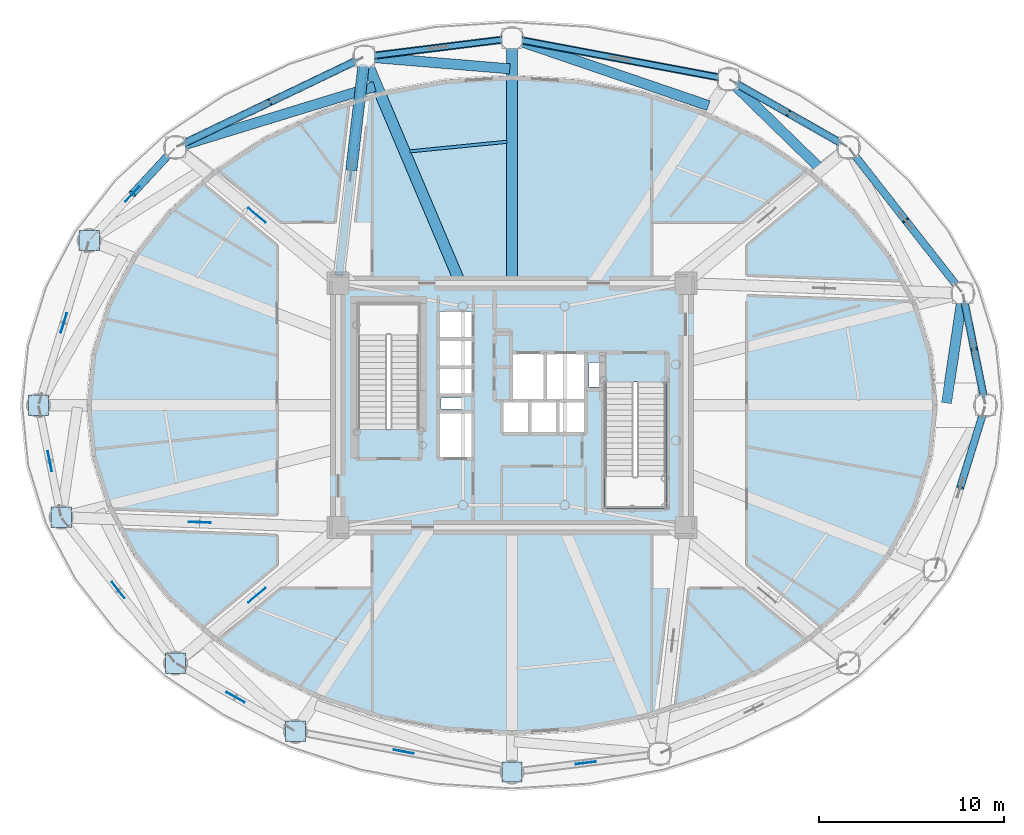
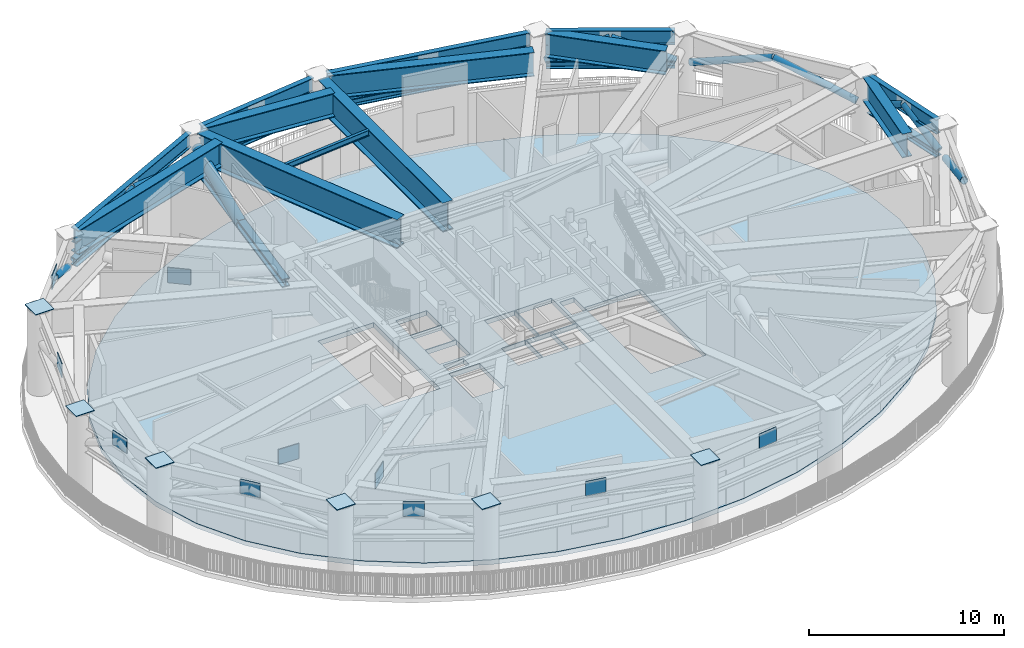
# One storey, part 5 of 20: 19 beams, 16 plates, 11 members, 1 slab.
"""IFC4 building model written with IfcOpenShell, lengths in metres."""

from ifc_helpers import new_model, si_unit, direction, frame, origin, origin_2d, place, context, subcontext, project, spatial, polyline, rectangle, hollow_circle, i_section, outline, extrude, source, transform, mapped, material, layer, layer_set, material_profile, profile_set, type_object, element, save


model = new_model("IFC4")

# Units and contexts
model_context = context("Model", 3, precision=1e-05, world=origin(), true_north=direction((0.0, 1.0)))
body_context = subcontext(model_context, "Body", "Model", "MODEL_VIEW")
ifc_project = project(units=[si_unit("LENGTHUNIT", "METRE"), si_unit("AREAUNIT", "SQUARE_METRE"), si_unit("VOLUMEUNIT", "CUBIC_METRE"), si_unit("PLANEANGLEUNIT", "RADIAN"), si_unit("MASSUNIT", "GRAM", prefix="KILO")], contexts=[model_context])

# Site, building, storey
site_placement = place(None, origin())
site = spatial("IfcSite", under=ifc_project, at=site_placement, CompositionType="ELEMENT")
building_placement = place(site_placement, origin())
building = spatial("IfcBuilding", under=site, at=building_placement, Name="Linh Dai School and Residence Tower", CompositionType="ELEMENT")
storey_placement = place(building_placement, frame((0.0, 0.0, 204.89990234375)))
storey = spatial("IfcBuildingStorey", under=building, at=storey_placement, Name="L50", CompositionType="ELEMENT", Elevation=204.89990234375)

# Beams
ifc_material_1 = material(Name="Structural Steel S355JR", Category="steel")
ifc_material_profile_1 = material_profile(ifc_material_1, i_section(OverallWidth=0.41796875, OverallDepth=0.506103515625, WebThickness=0.038818359375, FlangeThickness=0.05810546875, FilletRadius=0.014892578125, at=origin_2d()), Name="HD 400x551")
ifc_profile_set_1 = profile_set([ifc_material_profile_1], Name="Structural Steel S355JR")
beam_type_1 = type_object("IfcBeamType", Name="BM-BC1", PredefinedType="BEAM", material=ifc_profile_set_1)
beam_1_placement = place(storey_placement, frame((26.648681640625, 34.01708984375, 3.10009765625), z_axis=(0.115752064502, 0.993278138068, 0.0), x_axis=(-0.993278138068, 0.115752064502, 0.0)))
element("IfcBeam", 1, at=beam_1_placement, inside=storey, type_object=beam_type_1, Name="L50 Outrigger Truss OT2 Bottom Chord 03", PredefinedType="BEAM", context=body_context, shape_type="SweptSolid", body=[
    extrude(i_section(OverallWidth=0.41796875, OverallDepth=0.506103515625, WebThickness=0.038818359375, FlangeThickness=0.05810546875, FilletRadius=0.014892578125, at=origin_2d()), origin(), (0.0, 0.0, 1.0), 11.484375),
])
ifc_material_profile_2 = material_profile(ifc_material_1, i_section(OverallWidth=0.408935546875, OverallDepth=0.47509765625, WebThickness=0.02978515625, FlangeThickness=0.048095703125, FilletRadius=0.014892578125, at=origin_2d()), Name="HD 400x421")
ifc_profile_set_2 = profile_set([ifc_material_profile_2], Name="Structural Steel S355JR")
beam_type_2 = type_object("IfcBeamType", Name="BM-BC2", PredefinedType="BEAM", material=ifc_profile_set_2)
beam_2_placement = place(storey_placement, frame((61.5166015625, 27.41162109375, 3.050048828125), z_axis=(-0.198420723955, 0.980116940117, 0.0), x_axis=(-0.980116940117, -0.198420723955, 0.0)))
element("IfcBeam", 2, at=beam_2_placement, inside=storey, type_object=beam_type_2, Name="L50 Ring Belt Truss BT3 Bottom Chord 01", PredefinedType="BEAM", context=body_context, shape_type="SweptSolid", body=[
    extrude(i_section(OverallWidth=0.408935546875, OverallDepth=0.47509765625, WebThickness=0.02978515625, FlangeThickness=0.048095703125, FilletRadius=0.014892578125, at=origin_2d()), origin(), (0.0, 0.0, 1.0), 5.33642578125),
])
beam_3_placement = place(storey_placement, frame((53.827392578125, 41.1494140625, 3.050048828125), z_axis=(-0.869262164011, 0.49435138335, 0.0), x_axis=(-0.49435138335, -0.869262164011, 0.0)))
element("IfcBeam", 3, at=beam_3_placement, inside=storey, type_object=beam_type_2, Name="L50 Ring Belt Truss BT3 Bottom Chord 03", PredefinedType="BEAM", context=body_context, shape_type="SweptSolid", body=[
    extrude(i_section(OverallWidth=0.408935546875, OverallDepth=0.47509765625, WebThickness=0.02978515625, FlangeThickness=0.048095703125, FilletRadius=0.014892578125, at=origin_2d()), origin(), (0.0, 0.0, 1.0), 6.62255859375),
])
beam_4_placement = place(storey_placement, frame((47.292724609375, 44.70849609375, 3.050048828125), z_axis=(-0.98280721278, 0.184634727255, 0.0), x_axis=(-0.184634727255, -0.98280721278, 0.0)))
element("IfcBeam", 4, at=beam_4_placement, inside=storey, type_object=beam_type_2, Name="L50 Ring Belt Truss BT3 Bottom Chord 04", PredefinedType="BEAM", context=body_context, shape_type="SweptSolid", body=[
    extrude(i_section(OverallWidth=0.408935546875, OverallDepth=0.47509765625, WebThickness=0.02978515625, FlangeThickness=0.048095703125, FilletRadius=0.014892578125, at=origin_2d()), origin(), (0.0, 0.0, 1.0), 11.0703125),
])
beam_5_placement = place(storey_placement, frame((35.583251953125, 46.7783203125, 3.050048828125), z_axis=(-0.992400597975, -0.123048986741, 0.0), x_axis=(0.123048986741, -0.992400597975, 0.0)))
element("IfcBeam", 5, at=beam_5_placement, inside=storey, type_object=beam_type_2, Name="L50 Ring Belt Truss BT3 Bottom Chord 05", PredefinedType="BEAM", context=body_context, shape_type="SweptSolid", body=[
    extrude(i_section(OverallWidth=0.408935546875, OverallDepth=0.47509765625, WebThickness=0.02978515625, FlangeThickness=0.048095703125, FilletRadius=0.014892578125, at=origin_2d()), origin(), (0.0, 0.0, 1.0), 7.1943359375),
])
beam_6_placement = place(storey_placement, frame((27.64794921875, 45.659912109375, 3.050048828125), z_axis=(-0.901708141823, -0.432345263614, 0.0), x_axis=(0.432345263614, -0.901708141823, 0.0)))
element("IfcBeam", 6, at=beam_6_placement, inside=storey, type_object=beam_type_2, Name="L50 Ring Belt Truss BT3 Bottom Chord 06", PredefinedType="BEAM", context=body_context, shape_type="SweptSolid", body=[
    extrude(i_section(OverallWidth=0.408935546875, OverallDepth=0.47509765625, WebThickness=0.02978515625, FlangeThickness=0.048095703125, FilletRadius=0.014892578125, at=origin_2d()), origin(), (0.0, 0.0, 1.0), 10.4931640625),
])
ifc_material_profile_3 = material_profile(ifc_material_1, i_section(OverallWidth=0.300048828125, OverallDepth=0.89990234375, WebThickness=0.0185546875, FlangeThickness=0.034912109375, FilletRadius=0.030029296875, at=origin_2d()), Name="HEB 900")
ifc_profile_set_3 = profile_set([ifc_material_profile_3], Name="Structural Steel S355JR")
beam_type_3 = type_object("IfcBeamType", Name="BM-RG9", PredefinedType="BEAM", material=ifc_profile_set_3)
beam_7_placement = place(storey_placement, frame((61.5166015625, 27.41162109375, 4.7001953125), z_axis=(-0.198420723955, 0.980116940117, 0.0), x_axis=(-0.980116940117, -0.198420723955, 0.0)))
element("IfcBeam", 7, at=beam_7_placement, inside=storey, type_object=beam_type_3, Name="L50 Perimeter Elliptical Ring Beam 01", PredefinedType="BEAM", context=body_context, shape_type="SweptSolid", body=[
    extrude(i_section(OverallWidth=0.300048828125, OverallDepth=0.89990234375, WebThickness=0.0185546875, FlangeThickness=0.034912109375, FilletRadius=0.030029296875, at=origin_2d()), origin(), (0.0, 0.0, 1.0), 5.33642578125),
])
beam_8_placement = place(storey_placement, frame((53.827392578125, 41.1494140625, 4.7001953125), z_axis=(-0.869262164011, 0.49435138335, 0.0), x_axis=(-0.49435138335, -0.869262164011, 0.0)))
element("IfcBeam", 8, at=beam_8_placement, inside=storey, type_object=beam_type_3, Name="L50 Perimeter Elliptical Ring Beam 03", PredefinedType="BEAM", context=body_context, shape_type="SweptSolid", body=[
    extrude(i_section(OverallWidth=0.300048828125, OverallDepth=0.89990234375, WebThickness=0.0185546875, FlangeThickness=0.034912109375, FilletRadius=0.030029296875, at=origin_2d()), origin(), (0.0, 0.0, 1.0), 6.62255859375),
])
beam_9_placement = place(storey_placement, frame((47.292724609375, 44.70849609375, 4.7001953125), z_axis=(-0.98280721278, 0.184634727255, 0.0), x_axis=(-0.184634727255, -0.98280721278, 0.0)))
element("IfcBeam", 9, at=beam_9_placement, inside=storey, type_object=beam_type_3, Name="L50 Perimeter Elliptical Ring Beam 04", PredefinedType="BEAM", context=body_context, shape_type="SweptSolid", body=[
    extrude(i_section(OverallWidth=0.300048828125, OverallDepth=0.89990234375, WebThickness=0.0185546875, FlangeThickness=0.034912109375, FilletRadius=0.030029296875, at=origin_2d()), origin(), (0.0, 0.0, 1.0), 11.0703125),
])
beam_10_placement = place(storey_placement, frame((35.583251953125, 46.7783203125, 4.7001953125), z_axis=(-0.992400597975, -0.123048986741, 0.0), x_axis=(0.123048986741, -0.992400597975, 0.0)))
element("IfcBeam", 10, at=beam_10_placement, inside=storey, type_object=beam_type_3, Name="L50 Perimeter Elliptical Ring Beam 05", PredefinedType="BEAM", context=body_context, shape_type="SweptSolid", body=[
    extrude(i_section(OverallWidth=0.300048828125, OverallDepth=0.89990234375, WebThickness=0.0185546875, FlangeThickness=0.034912109375, FilletRadius=0.030029296875, at=origin_2d()), origin(), (0.0, 0.0, 1.0), 7.1943359375),
])
beam_11_placement = place(storey_placement, frame((27.64794921875, 45.659912109375, 4.7001953125), z_axis=(-0.901708141823, -0.432345263614, 0.0), x_axis=(0.432345263614, -0.901708141823, 0.0)))
element("IfcBeam", 11, at=beam_11_placement, inside=storey, type_object=beam_type_3, Name="L50 Perimeter Elliptical Ring Beam 06", PredefinedType="BEAM", context=body_context, shape_type="SweptSolid", body=[
    extrude(i_section(OverallWidth=0.300048828125, OverallDepth=0.89990234375, WebThickness=0.0185546875, FlangeThickness=0.034912109375, FilletRadius=0.030029296875, at=origin_2d()), origin(), (0.0, 0.0, 1.0), 10.4931640625),
])
ifc_material_profile_4 = material_profile(ifc_material_1, i_section(OverallWidth=0.169921875, OverallDepth=0.360107421875, WebThickness=0.008056640625, FlangeThickness=0.0126953125, FilletRadius=0.01806640625, at=origin_2d()), Name="IPE 360")
ifc_profile_set_4 = profile_set([ifc_material_profile_4], Name="Structural Steel S355JR")
beam_type_4 = type_object("IfcBeamType", Name="BM-SB36", PredefinedType="BEAM", material=ifc_profile_set_4)
beam_12_placement = place(storey_placement, frame((35.721435546875, 41.245849609375, 4.97021484375), z_axis=(-0.995144026616, -0.098429499092, 0.0), x_axis=(0.098429499092, -0.995144026616, 0.0)))
element("IfcBeam", 12, at=beam_12_placement, inside=storey, type_object=beam_type_4, Name="L50 Secondary Circumferential Floor Beam 03", PredefinedType="BEAM", context=body_context, shape_type="SweptSolid", body=[
    extrude(i_section(OverallWidth=0.169921875, OverallDepth=0.360107421875, WebThickness=0.008056640625, FlangeThickness=0.0126953125, FilletRadius=0.01806640625, at=origin_2d()), origin(), (0.0, 0.0, 1.0), 5.265869140625),
])
ifc_material_profile_5 = material_profile(ifc_material_1, i_section(OverallWidth=0.550048828125, OverallDepth=1.5, WebThickness=0.028076171875, FlangeThickness=0.050048828125, at=origin_2d()), Name="PG 1500x550x28x50")
ifc_profile_set_5 = profile_set([ifc_material_profile_5], Name="Structural Steel S355JR")
beam_type_5 = type_object("IfcBeamType", Name="BM-TG15", PredefinedType="BEAM", material=ifc_profile_set_5)
beam_13_placement = place(storey_placement, frame((59.49267578125, 27.11865234375, 4.400146484375), z_axis=(0.146962499756, 0.98914206445, 0.0), x_axis=(-0.98914206445, 0.146962499756, 0.0)))
element("IfcBeam", 13, at=beam_13_placement, inside=storey, type_object=beam_type_5, Name="L50 Setback Diaphragm Transfer Girder 01", PredefinedType="BEAM", context=body_context, shape_type="SweptSolid", body=[
    extrude(i_section(OverallWidth=0.550048828125, OverallDepth=1.5, WebThickness=0.028076171875, FlangeThickness=0.050048828125, at=origin_2d()), origin(), (0.0, 0.0, 1.0), 5.580078125),
])
beam_14_placement = place(storey_placement, frame((52.59716796875, 39.86474609375, 4.400146484375), z_axis=(-0.716245697549, 0.697848193193, 0.0), x_axis=(-0.697848193193, -0.716245697549, 0.0)))
element("IfcBeam", 14, at=beam_14_placement, inside=storey, type_object=beam_type_5, Name="L50 Setback Diaphragm Transfer Girder 03", PredefinedType="BEAM", context=body_context, shape_type="SweptSolid", body=[
    extrude(i_section(OverallWidth=0.550048828125, OverallDepth=1.5, WebThickness=0.028076171875, FlangeThickness=0.050048828125, at=origin_2d()), origin(), (0.0, 0.0, 1.0), 6.40966796875),
])
beam_15_placement = place(storey_placement, frame((46.62109375, 43.202392578125, 4.400146484375), z_axis=(-0.946323052794, 0.323222337953, 0.0), x_axis=(-0.323222337953, -0.946323052794, 0.0)))
element("IfcBeam", 15, at=beam_15_placement, inside=storey, type_object=beam_type_5, Name="L50 Setback Diaphragm Transfer Girder 04", PredefinedType="BEAM", context=body_context, shape_type="SweptSolid", body=[
    extrude(i_section(OverallWidth=0.550048828125, OverallDepth=1.5, WebThickness=0.028076171875, FlangeThickness=0.050048828125, at=origin_2d()), origin(), (0.0, 0.0, 1.0), 10.803466796875),
])
beam_16_placement = place(storey_placement, frame((35.88037109375, 45.18994140625, 4.400146484375), z_axis=(-0.996577731029, 0.08266090985, 0.0), x_axis=(-0.08266090985, -0.996577731029, 0.0)))
element("IfcBeam", 16, at=beam_16_placement, inside=storey, type_object=beam_type_5, Name="L50 Setback Diaphragm Transfer Girder 05", PredefinedType="BEAM", context=body_context, shape_type="SweptSolid", body=[
    extrude(i_section(OverallWidth=0.550048828125, OverallDepth=1.5, WebThickness=0.028076171875, FlangeThickness=0.050048828125, at=origin_2d()), origin(), (0.0, 0.0, 1.0), 7.460693359375),
])
beam_17_placement = place(storey_placement, frame((28.5732421875, 44.23828125, 4.400146484375), z_axis=(-0.956177952273, -0.292786139678, 0.0), x_axis=(0.292786139678, -0.956177952273, 0.0)))
element("IfcBeam", 17, at=beam_17_placement, inside=storey, type_object=beam_type_5, Name="L50 Setback Diaphragm Transfer Girder 06", PredefinedType="BEAM", context=body_context, shape_type="SweptSolid", body=[
    extrude(i_section(OverallWidth=0.550048828125, OverallDepth=1.5, WebThickness=0.028076171875, FlangeThickness=0.050048828125, at=origin_2d()), origin(), (0.0, 0.0, 1.0), 10.83935546875),
])
ifc_material_profile_6 = material_profile(ifc_material_1, i_section(OverallWidth=0.60009765625, OverallDepth=1.800048828125, WebThickness=0.030029296875, FlangeThickness=0.054931640625, at=origin_2d()), Name="PG 1800x600x30x55")
ifc_profile_set_6 = profile_set([ifc_material_profile_6], Name="Structural Steel S355JR")
beam_type_6 = type_object("IfcBeamType", Name="BM-TG18", PredefinedType="BEAM", material=ifc_profile_set_6)
beam_18_placement = place(storey_placement, frame((36.0, 33.60009765625, 4.25), z_axis=(0.0, 1.0, 0.0), x_axis=(-1.0, 0.0, 0.0)))
element("IfcBeam", 18, at=beam_18_placement, inside=storey, type_object=beam_type_6, Name="L50 Radial Setback Transfer Girder 05", PredefinedType="BEAM", context=body_context, shape_type="SweptSolid", body=[
    extrude(i_section(OverallWidth=0.60009765625, OverallDepth=1.800048828125, WebThickness=0.030029296875, FlangeThickness=0.054931640625, at=origin_2d()), origin(), (0.0, 0.0, 1.0), 12.809814453125),
])
beam_19_placement = place(storey_placement, frame((33.20703125, 33.60009765625, 4.25), z_axis=(-0.389721661447, 0.920932693849, 0.0), x_axis=(-0.920932693849, -0.389721661447, 0.0)))
element("IfcBeam", 19, at=beam_19_placement, inside=storey, type_object=beam_type_6, Name="L50 Radial Setback Transfer Girder 06", PredefinedType="BEAM", context=body_context, shape_type="SweptSolid", body=[
    extrude(i_section(OverallWidth=0.60009765625, OverallDepth=1.800048828125, WebThickness=0.030029296875, FlangeThickness=0.054931640625, at=origin_2d()), origin(), (0.0, 0.0, 1.0), 12.872314453125),
])

# Members
ifc_material_profile_7 = material_profile(ifc_material_1, hollow_circle(Radius=0.203125, WallThickness=0.01611328125, at=origin_2d()), Name="CHS 406.4x16")
ifc_profile_set_7 = profile_set([ifc_material_profile_7], Name="Structural Steel S355JR")
member_type_1 = type_object("IfcMemberType", Name="MBR-BT3", PredefinedType="BRACE", material=ifc_profile_set_7)
member_1_placement = place(storey_placement, frame((61.526611328125, 27.363037109375, 3.248046875), z_axis=(-0.175015497183, 0.864460882645, 0.471250419758), x_axis=(-0.980114982991, -0.198430391112, 0.0)))
element("IfcMember", 20, at=member_1_placement, inside=storey, type_object=member_type_1, Name="L50 Ring Belt Truss BT3 Diagonal 01A", PredefinedType="BRACE", context=body_context, shape_type="SweptSolid", body=[
    extrude(hollow_circle(Radius=0.203125, WallThickness=0.01611328125, at=origin_2d()), origin(), (0.0, 0.0, 1.0), 3.08154296875),
])
member_2_placement = place(storey_placement, frame((60.447998046875, 32.6904296875, 3.248046875), z_axis=(0.175027484648, -0.864440858991, 0.471282697459), x_axis=(0.980111445574, 0.198447862811, 0.0)))
element("IfcMember", 21, at=member_2_placement, inside=storey, type_object=member_type_1, Name="L50 Ring Belt Truss BT3 Diagonal 01B", PredefinedType="BRACE", context=body_context, shape_type="SweptSolid", body=[
    extrude(hollow_circle(Radius=0.203125, WallThickness=0.01611328125, at=origin_2d()), origin(), (0.0, 0.0, 1.0), 3.081298828125),
])
member_3_placement = place(storey_placement, frame((60.12841796875, 33.36767578125, 3.181396484375), z_axis=(-0.585917786619, 0.747569351364, 0.312794520772), x_axis=(-0.787063556187, -0.616871914195, 0.0)))
element("IfcMember", 22, at=member_3_placement, inside=storey, type_object=member_type_1, Name="L50 Ring Belt Truss BT3 Diagonal 02A", PredefinedType="BRACE", context=body_context, shape_type="SweptSolid", body=[
    extrude(hollow_circle(Radius=0.203125, WallThickness=0.01611328125, at=origin_2d()), origin(), (0.0, 0.0, 1.0), 4.85546875),
])
member_4_placement = place(storey_placement, frame((54.4384765625, 40.627685546875, 3.181396484375), z_axis=(0.585895763581, -0.747591530823, 0.312782763686), x_axis=(0.787083698999, 0.616846213225, 0.0)))
element("IfcMember", 23, at=member_4_placement, inside=storey, type_object=member_type_1, Name="L50 Ring Belt Truss BT3 Diagonal 02B", PredefinedType="BRACE", context=body_context, shape_type="SweptSolid", body=[
    extrude(hollow_circle(Radius=0.203125, WallThickness=0.01611328125, at=origin_2d()), origin(), (0.0, 0.0, 1.0), 4.855712890625),
])
member_5_placement = place(storey_placement, frame((53.858642578125, 41.131591796875, 3.219970703125), z_axis=(-0.794992835956, 0.452127994807, 0.404433761067), x_axis=(-0.494362742257, -0.869255704075, 0.0)))
element("IfcMember", 24, at=member_5_placement, inside=storey, type_object=member_type_1, Name="L50 Ring Belt Truss BT3 Diagonal 03A", PredefinedType="BRACE", context=body_context, shape_type="SweptSolid", body=[
    extrude(hollow_circle(Radius=0.203125, WallThickness=0.01611328125, at=origin_2d()), origin(), (0.0, 0.0, 1.0), 3.659912109375),
])
member_6_placement = place(storey_placement, frame((48.03955078125, 44.44091796875, 3.219970703125), z_axis=(0.794992264934, -0.452098899006, 0.404467408097), x_axis=(0.49433897136, 0.86926922262, 0.0)))
element("IfcMember", 25, at=member_6_placement, inside=storey, type_object=member_type_1, Name="L50 Ring Belt Truss BT3 Diagonal 03B", PredefinedType="BRACE", context=body_context, shape_type="SweptSolid", body=[
    extrude(hollow_circle(Radius=0.203125, WallThickness=0.01611328125, at=origin_2d()), origin(), (0.0, 0.0, 1.0), 3.65966796875),
])
member_7_placement = place(storey_placement, frame((27.6630859375, 45.6669921875, 3.16748046875), z_axis=(-0.865752709797, -0.415083865184, 0.279602629359), x_axis=(0.432326872056, -0.90171695986, 0.0)))
element("IfcMember", 26, at=member_7_placement, inside=storey, type_object=member_type_1, Name="L50 Ring Belt Truss BT3 Diagonal 06A", PredefinedType="BRACE", context=body_context, shape_type="SweptSolid", body=[
    extrude(hollow_circle(Radius=0.203125, WallThickness=0.01611328125, at=origin_2d()), origin(), (0.0, 0.0, 1.0), 5.481689453125),
])
member_8_placement = place(storey_placement, frame((18.171142578125, 41.115966796875, 3.16748046875), z_axis=(0.865747860243, 0.415104722496, 0.279586680381), x_axis=(-0.432346504362, 0.901707546916, 0.0)))
element("IfcMember", 27, at=member_8_placement, inside=storey, type_object=member_type_1, Name="L50 Ring Belt Truss BT3 Diagonal 06B", PredefinedType="BRACE", context=body_context, shape_type="SweptSolid", body=[
    extrude(hollow_circle(Radius=0.203125, WallThickness=0.01611328125, at=origin_2d()), origin(), (0.0, 0.0, 1.0), 5.482177734375),
])
member_9_placement = place(storey_placement, frame((17.550048828125, 40.664306640625, 3.232177734375), z_axis=(-0.613211987, -0.660481912202, 0.433283628417), x_axis=(0.732844746776, -0.680395897345, 0.0)))
element("IfcMember", 28, at=member_9_placement, inside=storey, type_object=member_type_1, Name="L50 Ring Belt Truss BT3 Diagonal 07A", PredefinedType="BRACE", context=body_context, shape_type="SweptSolid", body=[
    extrude(hollow_circle(Radius=0.203125, WallThickness=0.01611328125, at=origin_2d()), origin(), (0.0, 0.0, 1.0), 3.38818359375),
])
member_10_placement = place(storey_placement, frame((61.483642578125, 26.62158203125, 3.190185546875), z_axis=(-0.276807957672, -0.901109725754, 0.333734350526), x_axis=(0.955915045693, -0.293643364336, 0.0)))
element("IfcMember", 29, at=member_10_placement, inside=storey, type_object=member_type_1, Name="L50 Ring Belt Truss BT3 Diagonal 16B", PredefinedType="BRACE", context=body_context, shape_type="SweptSolid", body=[
    extrude(hollow_circle(Radius=0.203125, WallThickness=0.01611328125, at=origin_2d()), origin(), (0.0, 0.0, 1.0), 4.524658203125),
])
ifc_material_profile_8 = material_profile(ifc_material_1, hollow_circle(Radius=0.304931640625, WallThickness=0.02490234375, at=origin_2d()), Name="CHS 610x25")
ifc_profile_set_8 = profile_set([ifc_material_profile_8], Name="Structural Steel S355JR")
member_type_2 = type_object("IfcMemberType", Name="MBR-OT2", PredefinedType="BRACE", material=ifc_profile_set_8)
member_11_placement = place(storey_placement, frame((27.97900390625, 45.431396484375, 4.173095703125), z_axis=(-0.113792343917, -0.976418458021, -0.183461977812), x_axis=(0.993277549872, -0.11575711175, 0.0)))
element("IfcMember", 30, at=member_11_placement, inside=storey, type_object=member_type_2, Name="L50 Outrigger Truss OT2 Web Diagonal 03B", PredefinedType="BRACE", context=body_context, shape_type="SweptSolid", body=[
    extrude(hollow_circle(Radius=0.304931640625, WallThickness=0.02490234375, at=origin_2d()), origin(), (0.0, 0.0, 1.0), 5.8486328125),
])

# Slab
ifc_material_2 = material(Name="Concrete B45 (C35/45)", Category="concrete")
ifc_layer_1 = layer(ifc_material_2, 0.300048828125)
ifc_layer_set_1 = layer_set([ifc_layer_1], Name="Concrete B45 (C35/45)")
slab_type = type_object("IfcSlabType", Name="SLB-FLR300", PredefinedType="FLOOR", material=ifc_layer_set_1)
slab_placement = place(storey_placement, frame((0.0, 0.0, -0.2998046875)))
element("IfcSlab", 31, at=slab_placement, inside=storey, type_object=slab_type, Name="L50 Refuge & Mechanical Plant Indoor Slab", PredefinedType="FLOOR", context=body_context, shape_type="SweptSolid", body=[
    extrude(outline(polyline([(59.0, 27.0), (58.716796875, 29.789306640625), (57.874267578125, 32.509765625), (56.4931640625, 35.0947265625), (54.607421875, 37.480224609375), (52.263427734375, 39.607666015625), (49.51904296875, 41.4248046875), (46.44189453125, 42.88671875), (43.107421875, 43.957275390625), (39.597900390625, 44.610595703125), (36.0, 44.830078125), (32.402099609375, 44.610595703125), (28.892578125, 43.957275390625), (25.55810546875, 42.88671875), (22.48095703125, 41.4248046875), (19.736572265625, 39.607666015625), (17.392578125, 37.480224609375), (15.5068359375, 35.0947265625), (14.125732421875, 32.509765625), (13.283203125, 29.789306640625), (13.0, 27.0), (13.283203125, 24.210693359375), (14.125732421875, 21.490234375), (15.5068359375, 18.9052734375), (17.392578125, 16.519775390625), (19.736572265625, 14.392333984375), (22.48095703125, 12.5751953125), (25.55810546875, 11.11328125), (28.892578125, 10.042724609375), (32.402099609375, 9.389404296875), (36.0, 9.169921875), (39.597900390625, 9.389404296875), (43.107421875, 10.042724609375), (46.44189453125, 11.11328125), (49.51904296875, 12.5751953125), (52.263427734375, 14.392333984375), (54.607421875, 16.519775390625), (56.4931640625, 18.9052734375), (57.874267578125, 21.490234375), (58.716796875, 24.210693359375), (59.0, 27.0)]), holes=[polyline([(30.97998046875, 25.699951171875), (30.97998046875, 32.5), (27.679931640625, 32.5), (27.679931640625, 25.699951171875), (30.97998046875, 25.699951171875)]), polyline([(41.02001953125, 28.25), (41.02001953125, 21.449951171875), (44.320068359375, 21.449951171875), (44.320068359375, 28.25), (41.02001953125, 28.25)]), polyline([(35.97998046875, 27.280029296875), (37.77001953125, 27.280029296875), (37.77001953125, 29.820068359375), (35.97998046875, 29.820068359375), (35.97998046875, 27.280029296875)]), polyline([(32.030029296875, 24.1298828125), (33.8701171875, 24.1298828125), (33.8701171875, 26.6201171875), (32.030029296875, 26.6201171875), (32.030029296875, 24.1298828125)]), polyline([(37.830078125, 27.280029296875), (39.969970703125, 27.280029296875), (39.969970703125, 29.820068359375), (37.830078125, 29.820068359375), (37.830078125, 27.280029296875)]), polyline([(32.030029296875, 27.580078125), (33.8701171875, 27.580078125), (33.8701171875, 29.030029296875), (32.030029296875, 29.030029296875), (32.030029296875, 27.580078125)]), polyline([(32.030029296875, 29.090087890625), (33.8701171875, 29.090087890625), (33.8701171875, 30.550048828125), (32.030029296875, 30.550048828125), (32.030029296875, 29.090087890625)]), polyline([(32.030029296875, 30.610107421875), (33.8701171875, 30.610107421875), (33.8701171875, 32.070068359375), (32.030029296875, 32.070068359375), (32.030029296875, 30.610107421875)]), polyline([(35.47998046875, 25.47998046875), (36.929931640625, 25.47998046875), (36.929931640625, 27.219970703125), (35.47998046875, 27.219970703125), (35.47998046875, 25.47998046875)]), polyline([(36.989990234375, 25.47998046875), (38.449951171875, 25.47998046875), (38.449951171875, 27.219970703125), (36.989990234375, 27.219970703125), (36.989990234375, 25.47998046875)]), polyline([(38.510009765625, 25.47998046875), (39.969970703125, 25.47998046875), (39.969970703125, 27.219970703125), (38.510009765625, 27.219970703125), (38.510009765625, 25.47998046875)]), polyline([(40.14990234375, 28.0), (40.14990234375, 29.300048828125), (41.0, 29.300048828125), (41.0, 28.280029296875), (40.989990234375, 28.280029296875), (40.989990234375, 28.0), (40.14990234375, 28.0)]), polyline([(32.14990234375, 26.800048828125), (33.35009765625, 26.800048828125), (33.35009765625, 27.39990234375), (32.14990234375, 27.39990234375), (32.14990234375, 26.800048828125)])]), origin(), (0.0, 0.0, 1.0), 0.2998046875),
])

# Plates
ifc_layer_2 = layer(ifc_material_1, 0.0400390625)
ifc_layer_set_2 = layer_set([ifc_layer_2], Name="Structural Steel S355JR")
plate_type = type_object("IfcPlateType", Name="PLT-GP1", PredefinedType="USERDEFINED", material=ifc_layer_set_2)
shared_shape_1 = source(origin(), body_context, "Body", "SweptSolid", [
    extrude(rectangle(XDim=1.10009765625, YDim=1.10009765625, at=origin_2d()), origin(), (0.0, 0.0, 1.0), 0.0400390625),
])
for number, where, z_axis, x_axis, name in (
    (32, (13.137451171875, 35.9111328125, 5.150146484375), (0.0, 0.0, 1.0), (1.0, 0.0, 0.0), "L50 MC08 Column Cap Plate"),
    (33, (10.39990234375, 27.0, 5.150146484375), (0.0, 0.0, 1.0), (1.0, 0.0, 0.0), "L50 MC09 Column Cap Plate"),
    (34, (11.62548828125, 20.946533203125, 5.150146484375), (0.0, 0.0, 1.0), (1.0, 0.0, 0.0), "L50 MC10 Column Cap Plate"),
    (35, (17.8076171875, 13.058349609375, 5.150146484375), (0.0, 0.0, 1.0), (1.0, 0.0, 0.0), "L50 MC11 Column Cap Plate"),
    (36, (24.29443359375, 9.369140625, 5.150146484375), (0.0, 0.0, 1.0), (1.0, 0.0, 0.0), "L50 MC12 Column Cap Plate"),
    (37, (36.0, 7.169921875, 5.150146484375), (0.0, 0.0, 1.0), (1.0, 0.0, 0.0), "L50 MC13 Column Cap Plate"),
):
    element("IfcPlate", number, at=place(storey_placement, frame(where, z_axis=z_axis, x_axis=x_axis)), inside=storey, type_object=plate_type, Name=name, ObjectType="GUSSET PLATE", PredefinedType="USERDEFINED", context=body_context, shape_type="MappedRepresentation", body=[
        mapped(shared_shape_1, transform((0.0, 0.0, 0.0), x_axis=(1.0, 0.0, 0.0), y_axis=(0.0, 1.0, 0.0), z_axis=(0.0, 0.0, 1.0), scale=1.0)),
    ])
shared_shape_2 = source(origin(), body_context, "Body", "SweptSolid", [
    extrude(rectangle(XDim=1.10009765625, YDim=0.0400390625, at=origin_2d()), origin(), (0.0, 0.0, 1.0), 0.89990234375),
])
for number, where, z_axis, x_axis, name in (
    (38, (15.472412109375, 38.426513671875, 4.250244140625), (0.0, 0.0, 1.0), (-0.680367716843, -0.732870909423, 0.0), "L50 Belt Truss BT3 Node Gusset Plate 07"),
    (39, (11.768798828125, 31.45556640625, 4.250244140625), (0.0, 0.0, 1.0), (-0.293644327933, -0.955914749689, 0.0), "L50 Belt Truss BT3 Node Gusset Plate 08"),
    (40, (11.0126953125, 23.97314453125, 4.250244140625), (0.0, 0.0, 1.0), (0.198423978756, -0.98011628119, 0.0), "L50 Belt Truss BT3 Node Gusset Plate 09"),
    (41, (14.716552734375, 17.00244140625, 4.250244140625), (0.0, 0.0, 1.0), (0.616842561711, -0.787086560717, 0.0), "L50 Belt Truss BT3 Node Gusset Plate 10"),
    (42, (21.051025390625, 11.213623046875, 4.250244140625), (0.0, 0.0, 1.0), (0.869261064655, -0.49435331644, 0.0), "L50 Belt Truss BT3 Node Gusset Plate 11"),
    (43, (30.147216796875, 8.26953125, 4.250244140625), (0.0, 0.0, 1.0), (0.982806135608, -0.184640460926, 0.0), "L50 Belt Truss BT3 Node Gusset Plate 12"),
    (44, (39.986572265625, 7.664306640625, 4.250244140625), (0.0, 0.0, 1.0), (0.992400608349, 0.123048903076, 0.0), "L50 Belt Truss BT3 Node Gusset Plate 13"),
):
    element("IfcPlate", number, at=place(storey_placement, frame(where, z_axis=z_axis, x_axis=x_axis)), inside=storey, type_object=plate_type, Name=name, ObjectType="GUSSET PLATE", PredefinedType="USERDEFINED", context=body_context, shape_type="MappedRepresentation", body=[
        mapped(shared_shape_2, transform((0.0, 0.0, 0.0), x_axis=(1.0, 0.0, 0.0), y_axis=(0.0, 1.0, 0.0), z_axis=(0.0, 0.0, 1.0), scale=1.0)),
    ])
shared_shape_3 = source(origin(), body_context, "Body", "SweptSolid", [
    extrude(rectangle(XDim=1.199951171875, YDim=0.0400390625, at=origin_2d()), origin(), (0.0, 0.0, 1.0), 0.949951171875),
])
for number, where, z_axis, x_axis, name in (
    (45, (22.203857421875, 37.270751953125, 2.625), (0.0, 0.0, 1.0), (-0.767592952028, 0.64093764127, 0.0), "L50 Outrigger Truss OT2 Node Gusset Plate 04"),
    (46, (19.11279296875, 20.673095703125, 2.625), (0.0, 0.0, 1.0), (-0.999334901391, 0.036465804, 0.0), "L50 Outrigger Truss OT2 Node Gusset Plate 05"),
    (47, (22.203857421875, 16.729248046875, 2.625), (0.0, 0.0, 1.0), (-0.767592952028, -0.64093764127, 0.0), "L50 Outrigger Truss OT2 Node Gusset Plate 06"),
):
    element("IfcPlate", number, at=place(storey_placement, frame(where, z_axis=z_axis, x_axis=x_axis)), inside=storey, type_object=plate_type, Name=name, ObjectType="GUSSET PLATE", PredefinedType="USERDEFINED", context=body_context, shape_type="MappedRepresentation", body=[
        mapped(shared_shape_3, transform((0.0, 0.0, 0.0), x_axis=(1.0, 0.0, 0.0), y_axis=(0.0, 1.0, 0.0), z_axis=(0.0, 0.0, 1.0), scale=1.0)),
    ])

save(model, "model.ifc")
